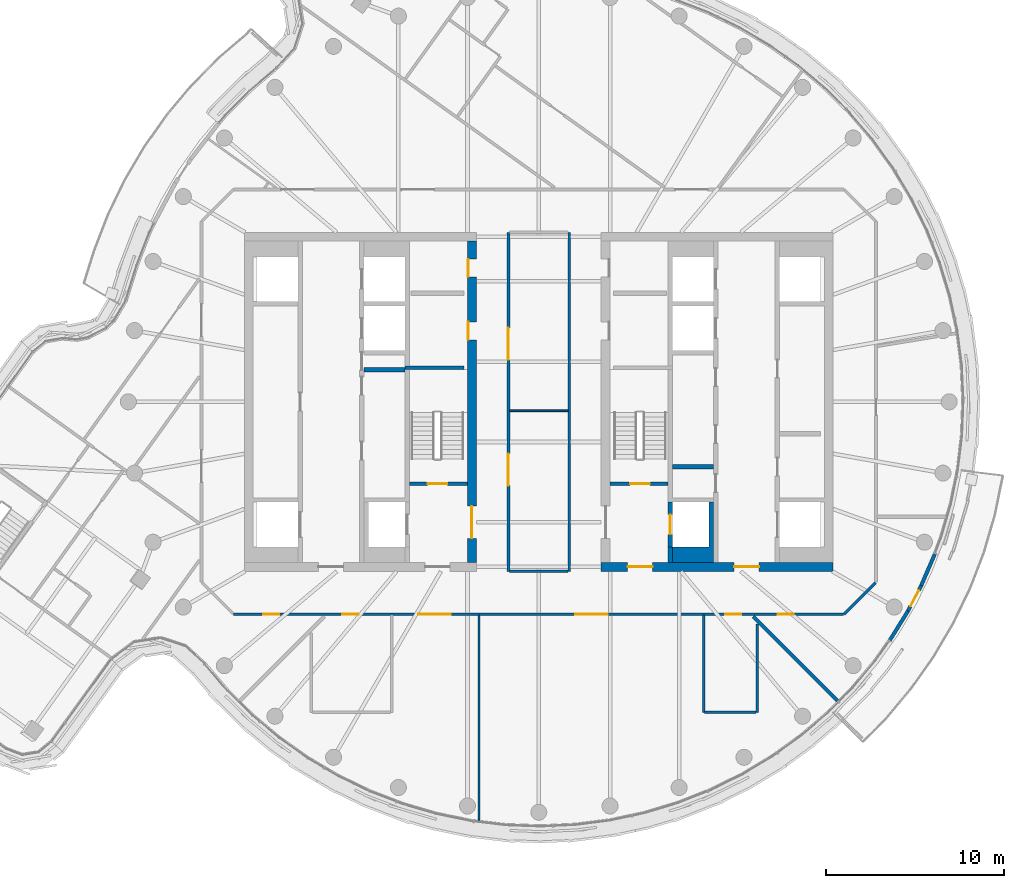
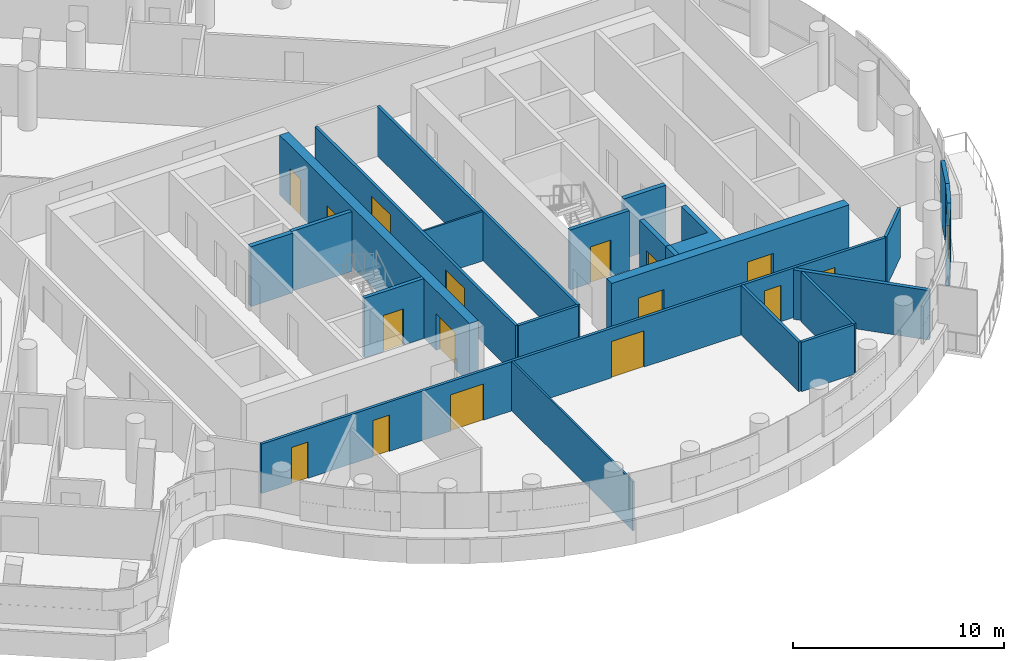
# One storey, part 18 of 27: 24 walls, 17 doors, 17 openings.
"""IFC4 building model written with IfcOpenShell, lengths in metres."""

import ifcopenshell
import ifcopenshell.guid

model = None  # the IFC model being written
_history = None  # IfcOwnerHistory: only IFC2X3 demands one
_inside = {}  # id of a spatial element -> (the spatial element, [elements in it])
_under = {}  # id of a project, library or spatial element -> (it, [spatial elements below it])
_declared = {}  # id of a project -> (the project, [libraries it declares])
_typed = {}  # id of a type object -> (the type object, [elements of that type])
_made_of = {}  # id of a material, layer set ... -> (it, [elements and type objects made of it])


def new_model(schema):
    """Start an empty IFC model of exactly this schema.

    Asked for "IFC4X3", IfcOpenShell would pick the latest addendum, in which some entities
    have other attributes; the version numbers below select the first issue.
    IFC2X3 requires an IfcOwnerHistory on every rooted entity: one is made here for all.
    """
    global model, _history
    if schema == "IFC4X3":
        model = ifcopenshell.file(schema_version=(4, 3, 0, 0))
    else:
        model = ifcopenshell.file(schema=schema)
    _inside.clear()
    _under.clear()
    _declared.clear()
    _typed.clear()
    _made_of.clear()
    _history = None
    if model.schema == "IFC2X3":
        org = make("IfcOrganization", Name="unknown")
        user = make(
            "IfcPersonAndOrganization",
            ThePerson=make("IfcPerson", FamilyName="unknown"),
            TheOrganization=org,
        )
        app = make(
            "IfcApplication",
            ApplicationDeveloper=org,
            Version="unknown",
            ApplicationFullName="unknown",
            ApplicationIdentifier="unknown",
        )
        _history = make(
            "IfcOwnerHistory",
            OwningUser=user,
            OwningApplication=app,
            ChangeAction="ADDED",
            CreationDate=0,
        )
    return model


def make(cls, **values):
    """One entity of the class cls with the attributes given. An attribute that is None is left unset."""
    return model.create_entity(
        cls, **{name: value for name, value in values.items() if value is not None}
    )


def rooted(cls, **values):
    """An entity with a GlobalId (a new one), such as an element, a storey or a relation."""
    return make(cls, GlobalId=ifcopenshell.guid.new(), OwnerHistory=_history, **values)


def si_unit(unit_type, name, prefix=None):
    """IfcSIUnit, for example si_unit("LENGTHUNIT", "METRE", prefix="MILLI")."""
    return make("IfcSIUnit", UnitType=unit_type, Prefix=prefix, Name=name)


def assignment(units):
    """IfcUnitAssignment: the units of a project."""
    return None if units is None else make("IfcUnitAssignment", Units=units)


def point(xyz):
    """IfcCartesianPoint."""
    return None if xyz is None else make("IfcCartesianPoint", Coordinates=xyz)


def direction(xyz):
    """IfcDirection."""
    return None if xyz is None else make("IfcDirection", DirectionRatios=xyz)


def frame(location, z_axis=None, x_axis=None):
    """IfcAxis2Placement3D, a coordinate frame: its origin and axes. An axis left out is left unset."""
    return make(
        "IfcAxis2Placement3D",
        Location=point(location),
        Axis=direction(z_axis),
        RefDirection=direction(x_axis),
    )


def frame_2d(location, x_axis=None):
    """IfcAxis2Placement2D, a coordinate frame in the plane: its origin and x axis."""
    return make(
        "IfcAxis2Placement2D", Location=point(location), RefDirection=direction(x_axis)
    )


def origin():
    """The frame at (0, 0, 0) with its axes left unset."""
    return frame((0.0, 0.0, 0.0))


def place(relative_to, where):
    """IfcLocalPlacement: puts the frame where relative to a parent placement (None: the world)."""
    return make(
        "IfcLocalPlacement", PlacementRelTo=relative_to, RelativePlacement=where
    )


def context(
    kind, dimensions, precision=None, world=None, true_north=None, identifier=None
):
    """IfcGeometricRepresentationContext, for example the 3D "Model" context."""
    return make(
        "IfcGeometricRepresentationContext",
        ContextIdentifier=identifier,
        ContextType=kind,
        CoordinateSpaceDimension=dimensions,
        Precision=precision,
        WorldCoordinateSystem=world,
        TrueNorth=true_north,
    )


def subcontext(parent, identifier, kind, view, scale=None):
    """IfcGeometricRepresentationSubContext, for example "Body" below "Model"."""
    return make(
        "IfcGeometricRepresentationSubContext",
        ContextIdentifier=identifier,
        ContextType=kind,
        ParentContext=parent,
        TargetScale=scale,
        TargetView=view,
    )


def project(units=None, contexts=None):
    """IfcProject with its units and contexts."""
    return rooted(
        "IfcProject",
        Name="project",
        RepresentationContexts=contexts,
        UnitsInContext=assignment(units),
    )


def spatial(cls, under=None, at=None, **own):
    """A site, building, storey or space (cls), placed at a placement, below another one or the project."""
    s = rooted(cls, ObjectPlacement=at, **own)
    if under is not None:
        _under.setdefault(under.id(), (under, []))[1].append(s)
    return s


def polyline(points):
    """IfcPolyline through the points."""
    return make("IfcPolyline", Points=[point(p) for p in points])


def profile(cls, at=None, kind="AREA", **sizes):
    """A parametric profile (cls). Its sizes go by their IFC names, for example OverallWidth=200.0."""
    return make(cls, ProfileType=kind, Position=at, **sizes)


def rectangle(**sizes):
    """IfcRectangleProfileDef."""
    return profile("IfcRectangleProfileDef", **sizes)


def outline(outer, holes=None, kind="AREA"):
    """IfcArbitraryClosedProfileDef: a profile drawn as a closed curve; with holes, ...WithVoids."""
    if holes is None:
        return make("IfcArbitraryClosedProfileDef", ProfileType=kind, OuterCurve=outer)
    return make(
        "IfcArbitraryProfileDefWithVoids",
        ProfileType=kind,
        OuterCurve=outer,
        InnerCurves=holes,
    )


def extrude(swept, where, along, depth):
    """IfcExtrudedAreaSolid: the profile swept, set in the frame where, extruded along a direction by depth."""
    return make(
        "IfcExtrudedAreaSolid",
        SweptArea=swept,
        Position=where,
        ExtrudedDirection=direction(along),
        Depth=depth,
    )


def shape(context_of_items, identifier, shape_type, items):
    """IfcShapeRepresentation: the items that make up one representation, for example the "Body"."""
    return make(
        "IfcShapeRepresentation",
        ContextOfItems=context_of_items,
        RepresentationIdentifier=identifier,
        RepresentationType=shape_type,
        Items=items,
    )


def material(Name=None, Category=None):
    """IfcMaterial."""
    return make("IfcMaterial", Name=Name, Category=Category)


def layer(
    of_material, thickness, ventilated=None, Name=None, Category=None, Priority=None
):
    """IfcMaterialLayer: one layer of a wall or slab, of a material (None: an air gap)."""
    return make(
        "IfcMaterialLayer",
        Material=of_material,
        LayerThickness=thickness,
        IsVentilated=ventilated,
        Name=Name,
        Category=Category,
        Priority=Priority,
    )


def layer_set(layers, Name=None):
    """IfcMaterialLayerSet."""
    return make("IfcMaterialLayerSet", MaterialLayers=layers, LayerSetName=Name)


def made_of(thing, what):
    """Note that an element or type object is made of a material, layer set ...; save() writes the relation."""
    if what is not None:
        _made_of.setdefault(what.id(), (what, []))[1].append(thing)
    return thing


def type_object(cls, material=None, **own):
    """A type object (cls), such as IfcWallType, which elements share."""
    return made_of(rooted(cls, **own), material)


def element(
    cls,
    number,
    at=None,
    inside=None,
    cuts=None,
    type_object=None,
    material=None,
    context=None,
    identifier="Body",
    shape_type=None,
    held_by="IfcProductDefinitionShape",
    body=None,
    shapes=None,
    **own,
):
    """One element of the class cls, such as IfcWall. Its Tag is "e" and its number.

    at: its placement. inside: the storey or other place that contains it. cuts: it is an
    opening in that element (IfcRelVoidsElement). A single representation is given by context,
    identifier, shape_type and body (its items); several are given by shapes. held_by: the class
    of the entity that holds the representations. save() writes the other relations.
    """
    e = rooted(cls, Tag="e%d" % number, ObjectPlacement=at, **own)
    if body is not None:
        shapes = [shape(context, identifier, shape_type, body)]
    if shapes is not None:
        e.Representation = make(held_by, Representations=shapes)
    if inside is not None:
        _inside.setdefault(inside.id(), (inside, []))[1].append(e)
    if cuts is not None:
        rooted(
            "IfcRelVoidsElement", RelatingBuildingElement=cuts, RelatedOpeningElement=e
        )
    if type_object is not None:
        _typed.setdefault(type_object.id(), (type_object, []))[1].append(e)
    return made_of(e, material)


def fill(opening, filler):
    """IfcRelFillsElement: the door or window that sits in an opening."""
    return rooted(
        "IfcRelFillsElement",
        RelatingOpeningElement=opening,
        RelatedBuildingElement=filler,
    )


def aggregate(whole, parts):
    """IfcRelAggregates: a whole, such as a stair, and the parts it consists of."""
    return rooted("IfcRelAggregates", RelatingObject=whole, RelatedObjects=parts)


def save(model, path):
    """Write the relations noted so far, then the file.

    IfcRelAggregates (storeys below a building ...), IfcRelContainedInSpatialStructure (elements
    in a storey), IfcRelDefinesByType, IfcRelAssociatesMaterial and IfcRelDeclares: one each for
    every whole, place, type object, material and project.
    """
    for whole, parts in _under.values():
        aggregate(whole, parts)
    for where, things in _inside.values():
        rooted(
            "IfcRelContainedInSpatialStructure",
            RelatedElements=things,
            RelatingStructure=where,
        )
    for kind, things in _typed.values():
        rooted("IfcRelDefinesByType", RelatedObjects=things, RelatingType=kind)
    for what, things in _made_of.values():
        rooted("IfcRelAssociatesMaterial", RelatedObjects=things, RelatingMaterial=what)
    for by, libraries in _declared.values():
        rooted("IfcRelDeclares", RelatingContext=by, RelatedDefinitions=libraries)
    model.write(path)


model = new_model("IFC4")

# Units and contexts
model_context = context("Model", 3, precision=1e-05, world=origin(), true_north=direction((0.0, 1.0)))
body_context = subcontext(model_context, "Body", "Model", "MODEL_VIEW")
ifc_project = project(units=[si_unit("LENGTHUNIT", "METRE"), si_unit("AREAUNIT", "SQUARE_METRE"), si_unit("VOLUMEUNIT", "CUBIC_METRE"), si_unit("PLANEANGLEUNIT", "RADIAN"), si_unit("MASSUNIT", "GRAM", prefix="KILO")], contexts=[model_context])

# Site, building, storey
site_placement = place(None, origin())
site = spatial("IfcSite", under=ifc_project, at=site_placement, CompositionType="ELEMENT")
building_placement = place(site_placement, origin())
building = spatial("IfcBuilding", under=site, at=building_placement, Name="Tamarind Cross Interchange Tower", CompositionType="ELEMENT")
storey_placement = place(building_placement, frame((0.0, 0.0, 230.699951171875)))
storey = spatial("IfcBuildingStorey", under=building, at=storey_placement, Name="L58", CompositionType="ELEMENT", Elevation=230.699951171875)

# Walls
ifc_material_1 = material(Name="Concrete C40", Category="concrete")
ifc_layer_1 = layer(ifc_material_1, 0.199951171875)
ifc_layer_set_1 = layer_set([ifc_layer_1], Name="Concrete C40")
wall_type_1 = type_object("IfcWallType", Name="Balcony and garden door wall", PredefinedType="SOLIDWALL", material=ifc_layer_set_1)
wall_1_placement = place(storey_placement, frame((19.67041015625, -13.3623046875, 0.0), z_axis=(0.0, 0.0, 1.0), x_axis=(0.527567207866, 0.84951329665, 0.0)))
element("IfcWall", 1, at=wall_1_placement, inside=storey, type_object=wall_type_1, Name="EXW-L58-02-D11L", PredefinedType="SOLIDWALL", context=body_context, shape_type="SweptSolid", body=[
    extrude(rectangle(XDim=1.932861328125, YDim=0.199951171875, at=frame_2d((0.96630859375, 0.0))), origin(), (0.0, 0.0, 1.0), 3.4599609375),
])
wall_2_placement = place(storey_placement, frame((21.427734375, -10.3017578125, 0.0), z_axis=(0.0, 0.0, 1.0), x_axis=(0.396281143068, 0.918129215116, 0.0)))
element("IfcWall", 2, at=wall_2_placement, inside=storey, type_object=wall_type_1, Name="EXW-L58-02-D11R", PredefinedType="SOLIDWALL", context=body_context, shape_type="SweptSolid", body=[
    extrude(rectangle(XDim=1.9326171875, YDim=0.199951171875, at=frame_2d((0.96630859375, 0.0))), origin(), (0.0, 0.0, 1.0), 3.4599609375),
])

# Wall, opening, door
wall_3_placement = place(storey_placement, frame((20.690185546875, -11.72021484375, 0.0), z_axis=(0.0, 0.0, 1.0), x_axis=(0.461328695654, 0.887229302135, 0.0)))
wall_3 = element("IfcWall", 3, at=wall_3_placement, inside=storey, type_object=wall_type_1, Name="EXW-L58-02-D11", PredefinedType="SOLIDWALL", context=body_context, shape_type="SweptSolid", body=[
    extrude(rectangle(XDim=1.5986328125, YDim=0.199951171875, at=frame_2d((0.79931640625, 0.0))), origin(), (0.0, 0.0, 1.0), 3.4599609375),
])
opening_1_placement = place(wall_3_placement, frame((0.29931640625, 0.0, 0.0)))
opening_1 = element("IfcOpeningElement", 4, at=opening_1_placement, cuts=wall_3, Name="Opening D2", PredefinedType="OPENING", context=body_context, shape_type="SweptSolid", body=[
    extrude(rectangle(XDim=1.0, YDim=2.39990234375, at=frame_2d((0.5, 1.199951171875))), frame((0.0, 0.10986328125, 0.0), z_axis=(0.0, -1.0, 0.0), x_axis=(1.0, 0.0, 0.0)), (0.0, 0.0, 1.0), 0.219970703125),
])
ifc_material_2 = material(Name="Aluminium and toughened glass", Category="aluminium")
door_type_1 = type_object("IfcDoorType", Name="Balcony and garden door", OperationType="SINGLE_SWING_LEFT", PredefinedType="DOOR", material=ifc_material_2)
door_1_placement = place(opening_1_placement, origin())
door_1 = element("IfcDoor", 5, at=door_1_placement, inside=storey, type_object=door_type_1, Name="DOR-L58-02-11", OperationType="SINGLE_SWING_LEFT", OverallHeight=2.39990234375, OverallWidth=1.0, PredefinedType="DOOR", context=body_context, shape_type="SweptSolid", body=[
    extrude(rectangle(XDim=1.0, YDim=2.39990234375, at=frame_2d((0.5, 1.199951171875))), frame((0.0, 0.02490234375, 0.0), z_axis=(0.0, -1.0, 0.0), x_axis=(1.0, 0.0, 0.0)), (0.0, 0.0, 1.0), 0.050048828125),
])
fill(opening_1, door_1)

# Wall, openings, doors
ifc_material_3 = material(Name="Concrete C50", Category="concrete")
ifc_layer_2 = layer(ifc_material_3, 0.5)
ifc_layer_set_2 = layer_set([ifc_layer_2], Name="Concrete C50")
wall_type_2 = type_object("IfcWallType", Name="Core wall 500 mm Concrete C50", PredefinedType="SHEAR", material=ifc_layer_set_2)
wall_4_placement = place(storey_placement, frame((-3.75, -9.0, 0.0), z_axis=(0.0, 0.0, 1.0), x_axis=(0.0, 1.0, 0.0)))
wall_4 = element("IfcWall", 6, at=wall_4_placement, inside=storey, type_object=wall_type_2, Name="Core wall CWL-L58-W-IN", PredefinedType="SHEAR", context=body_context, shape_type="SweptSolid", body=[
    extrude(rectangle(XDim=18.0, YDim=0.5, at=frame_2d((9.0, 0.0))), origin(), (0.0, 0.0, 1.0), 3.4599609375),
])
opening_2_placement = place(wall_4_placement, frame((1.35009765625, 0.0, 0.0)))
opening_2 = element("IfcOpeningElement", 7, at=opening_2_placement, cuts=wall_4, Name="Opening DCW4", PredefinedType="OPENING", context=body_context, shape_type="SweptSolid", body=[
    extrude(rectangle(XDim=1.800048828125, YDim=2.10009765625, at=frame_2d((0.89990234375, 1.050048828125))), frame((0.0, 0.260009765625, 0.0), z_axis=(0.0, -1.0, 0.0), x_axis=(1.0, 0.0, 0.0)), (0.0, 0.0, 1.0), 0.52001953125),
])
opening_3_placement = place(wall_4_placement, frame((12.4775390625, 0.0, 0.0)))
opening_3 = element("IfcOpeningElement", 8, at=opening_3_placement, cuts=wall_4, Name="Opening DCW5", PredefinedType="OPENING", context=body_context, shape_type="SweptSolid", body=[
    extrude(rectangle(XDim=1.0, YDim=2.10009765625, at=frame_2d((0.5, 1.050048828125))), frame((0.0, 0.260009765625, 0.0), z_axis=(0.0, -1.0, 0.0), x_axis=(1.0, 0.0, 0.0)), (0.0, 0.0, 1.0), 0.52001953125),
])
opening_4_placement = place(wall_4_placement, frame((16.00244140625, 0.0, 0.0)))
opening_4 = element("IfcOpeningElement", 9, at=opening_4_placement, cuts=wall_4, Name="Opening DCW5", PredefinedType="OPENING", context=body_context, shape_type="SweptSolid", body=[
    extrude(rectangle(XDim=1.0, YDim=2.10009765625, at=frame_2d((0.5, 1.050048828125))), frame((0.0, 0.260009765625, 0.0), z_axis=(0.0, -1.0, 0.0), x_axis=(1.0, 0.0, 0.0)), (0.0, 0.0, 1.0), 0.52001953125),
])
ifc_material_4 = material(Name="Steel, fire-resisting", Category="steel")
door_type_2 = type_object("IfcDoorType", Name="Core fire door 1000 x 2100 FD90", OperationType="SINGLE_SWING_LEFT", PredefinedType="DOOR", material=ifc_material_4)
door_2_placement = place(opening_3_placement, origin())
door_2 = element("IfcDoor", 10, at=door_2_placement, inside=storey, type_object=door_type_2, Name="L58 housekeeping pantry door", OperationType="SINGLE_SWING_LEFT", OverallHeight=2.10009765625, OverallWidth=1.0, PredefinedType="DOOR", context=body_context, shape_type="SweptSolid", body=[
    extrude(rectangle(XDim=1.0, YDim=2.10009765625, at=frame_2d((0.5, 1.050048828125))), frame((0.0, 0.22509765625, 0.0), z_axis=(0.0, -1.0, 0.0), x_axis=(1.0, 0.0, 0.0)), (0.0, 0.0, 1.0), 0.050048828125),
])
fill(opening_3, door_2)
door_3_placement = place(opening_4_placement, origin())
door_3 = element("IfcDoor", 11, at=door_3_placement, inside=storey, type_object=door_type_2, Name="L58 linen press door", OperationType="SINGLE_SWING_LEFT", OverallHeight=2.10009765625, OverallWidth=1.0, PredefinedType="DOOR", context=body_context, shape_type="SweptSolid", body=[
    extrude(rectangle(XDim=1.0, YDim=2.10009765625, at=frame_2d((0.5, 1.050048828125))), frame((0.0, 0.22509765625, 0.0), z_axis=(0.0, -1.0, 0.0), x_axis=(1.0, 0.0, 0.0)), (0.0, 0.0, 1.0), 0.050048828125),
])
fill(opening_4, door_3)
door_type_3 = type_object("IfcDoorType", Name="Core fire door 1800 x 2100 FD90", OperationType="SINGLE_SWING_LEFT", PredefinedType="DOOR", material=ifc_material_4)
door_4_placement = place(opening_2_placement, origin())
door_4 = element("IfcDoor", 12, at=door_4_placement, inside=storey, type_object=door_type_3, Name="L58 firefighting lobby door", OperationType="SINGLE_SWING_LEFT", OverallHeight=2.10009765625, OverallWidth=1.800048828125, PredefinedType="DOOR", context=body_context, shape_type="SweptSolid", body=[
    extrude(rectangle(XDim=1.800048828125, YDim=2.10009765625, at=frame_2d((0.89990234375, 1.050048828125))), frame((0.0, 0.02490234375, 0.0), z_axis=(0.0, -1.0, 0.0), x_axis=(1.0, 0.0, 0.0)), (0.0, 0.0, 1.0), 0.050048828125),
])
fill(opening_2, door_4)

wall_5_placement = place(storey_placement, frame((16.5, -9.25, 0.0), z_axis=(0.0, 0.0, 1.0), x_axis=(-1.0, 0.0, 0.0)))
wall_5 = element("IfcWall", 13, at=wall_5_placement, inside=storey, type_object=wall_type_2, Name="Core wall CWL-L58-E-S", PredefinedType="SHEAR", context=body_context, shape_type="SweptSolid", body=[
    extrude(rectangle(XDim=13.0, YDim=0.5, at=frame_2d((6.5, 0.0))), origin(), (0.0, 0.0, 1.0), 3.4599609375),
])
opening_5_placement = place(wall_5_placement, frame((4.14990234375, 0.0, 0.0)))
opening_5 = element("IfcOpeningElement", 14, at=opening_5_placement, cuts=wall_5, Name="Opening DCE1", PredefinedType="OPENING", context=body_context, shape_type="SweptSolid", body=[
    extrude(rectangle(XDim=1.39990234375, YDim=2.10009765625, at=frame_2d((0.699951171875, 1.050048828125))), frame((0.0, 0.260009765625, 0.0), z_axis=(0.0, -1.0, 0.0), x_axis=(1.0, 0.0, 0.0)), (0.0, 0.0, 1.0), 0.52001953125),
])
opening_6_placement = place(wall_5_placement, frame((10.125, 0.0, 0.0)))
opening_6 = element("IfcOpeningElement", 15, at=opening_6_placement, cuts=wall_5, Name="Opening DCEF", PredefinedType="OPENING", context=body_context, shape_type="SweptSolid", body=[
    extrude(rectangle(XDim=1.39990234375, YDim=2.10009765625, at=frame_2d((0.699951171875, 1.050048828125))), frame((0.0, 0.260009765625, 0.0), z_axis=(0.0, -1.0, 0.0), x_axis=(1.0, 0.0, 0.0)), (0.0, 0.0, 1.0), 0.52001953125),
])
door_type_4 = type_object("IfcDoorType", Name="Core fire door 1400 x 2100 FD90", OperationType="SINGLE_SWING_LEFT", PredefinedType="DOOR", material=ifc_material_4)
door_5_placement = place(opening_5_placement, origin())
door_5 = element("IfcDoor", 16, at=door_5_placement, inside=storey, type_object=door_type_4, Name="L58 lift lobby door", OperationType="SINGLE_SWING_LEFT", OverallHeight=2.10009765625, OverallWidth=1.39990234375, PredefinedType="DOOR", context=body_context, shape_type="SweptSolid", body=[
    extrude(rectangle(XDim=1.39990234375, YDim=2.10009765625, at=frame_2d((0.699951171875, 1.050048828125))), frame((0.0, 0.02490234375, 0.0), z_axis=(0.0, -1.0, 0.0), x_axis=(1.0, 0.0, 0.0)), (0.0, 0.0, 1.0), 0.050048828125),
])
fill(opening_5, door_5)
door_6_placement = place(opening_6_placement, origin())
door_6 = element("IfcDoor", 17, at=door_6_placement, inside=storey, type_object=door_type_4, Name="L58 firefighting lobby end door", OperationType="SINGLE_SWING_LEFT", OverallHeight=2.10009765625, OverallWidth=1.39990234375, PredefinedType="DOOR", context=body_context, shape_type="SweptSolid", body=[
    extrude(rectangle(XDim=1.39990234375, YDim=2.10009765625, at=frame_2d((0.699951171875, 1.050048828125))), frame((0.0, 0.02490234375, 0.0), z_axis=(0.0, -1.0, 0.0), x_axis=(1.0, 0.0, 0.0)), (0.0, 0.0, 1.0), 0.050048828125),
])
fill(opening_6, door_6)

# Walls
ifc_layer_3 = layer(ifc_material_3, 0.199951171875)
ifc_layer_set_3 = layer_set([ifc_layer_3], Name="Concrete C50")
wall_type_3 = type_object("IfcWallType", Name="Core web wall 200 mm Concrete C50", PredefinedType="SHEAR", material=ifc_layer_set_3)
wall_6_placement = place(storey_placement, frame((-7.5, 1.89990234375, 0.0), z_axis=(0.0, 0.0, 1.0), x_axis=(1.0, 0.0, 0.0)))
element("IfcWall", 18, at=wall_6_placement, inside=storey, type_object=wall_type_3, Name="Core wall CWL-L58-W-BD", PredefinedType="SHEAR", context=body_context, shape_type="SweptSolid", body=[
    extrude(rectangle(XDim=3.300048828125, YDim=0.199951171875, at=frame_2d((1.64990234375, 0.0))), origin(), (0.0, 0.0, 1.0), 3.4599609375),
])
ifc_layer_4 = layer(ifc_material_3, 0.25)
ifc_layer_set_4 = layer_set([ifc_layer_4], Name="Concrete C50")
wall_type_4 = type_object("IfcWallType", Name="Core web wall 250 mm Concrete C50", PredefinedType="SHEAR", material=ifc_layer_set_4)
wall_7_placement = place(storey_placement, origin())
element("IfcWall", 19, at=wall_7_placement, inside=storey, type_object=wall_type_4, Name="Core wall CWL-L58-E-BS", PredefinedType="SHEAR", context=body_context, shape_type="SweptSolid", body=[
    extrude(outline(polyline([(7.5, -8.125), (7.5, -9.0), (9.800048828125, -9.0), (9.800048828125, -8.125), (9.800048828125, -5.625), (9.550048828125, -5.625), (9.550048828125, -8.125), (7.5, -8.125)])), origin(), (0.0, 0.0, 1.0), 3.4599609375),
])
wall_8_placement = place(storey_placement, frame((7.375, -9.0, 0.0), z_axis=(0.0, 0.0, 1.0), x_axis=(0.0, 1.0, 0.0)))
element("IfcWall", 20, at=wall_8_placement, inside=storey, type_object=wall_type_4, Name="Core wall CWL-L58-E-BW", PredefinedType="SHEAR", context=body_context, shape_type="SweptSolid", body=[
    extrude(rectangle(XDim=0.875, YDim=0.25, at=frame_2d((0.4375, 0.0))), origin(), (0.0, 0.0, 1.0), 3.4599609375),
])

# Wall, opening, door
wall_9_placement = place(storey_placement, frame((7.375, -8.125, 0.0), z_axis=(0.0, 0.0, 1.0), x_axis=(0.0, 1.0, 0.0)))
wall_9 = element("IfcWall", 21, at=wall_9_placement, inside=storey, type_object=wall_type_4, Name="Core wall CWL-L58-E-FF", PredefinedType="SHEAR", context=body_context, shape_type="SweptSolid", body=[
    extrude(rectangle(XDim=2.5, YDim=0.25, at=frame_2d((1.25, 0.0))), origin(), (0.0, 0.0, 1.0), 3.4599609375),
])
opening_7_placement = place(wall_9_placement, frame((0.699951171875, 0.0, 0.0)))
opening_7 = element("IfcOpeningElement", 22, at=opening_7_placement, cuts=wall_9, Name="Opening LD19L58", PredefinedType="OPENING", context=body_context, shape_type="SweptSolid", body=[
    extrude(rectangle(XDim=1.10009765625, YDim=2.10009765625, at=frame_2d((0.550048828125, 1.050048828125))), frame((0.0, 0.135009765625, 0.0), z_axis=(0.0, -1.0, 0.0), x_axis=(1.0, 0.0, 0.0)), (0.0, 0.0, 1.0), 0.27001953125),
])
ifc_material_5 = material(Name="Stainless steel panel", Category="steel")
door_type_5 = type_object("IfcDoorType", Name="Lift landing door 1100 x 2100 E 120", OperationType="SLIDING_TO_LEFT", PredefinedType="DOOR", material=ifc_material_5)
door_7_placement = place(opening_7_placement, origin())
door_7 = element("IfcDoor", 23, at=door_7_placement, inside=storey, type_object=door_type_5, Name="L58 landing door LF19", OperationType="SLIDING_TO_LEFT", OverallHeight=2.10009765625, OverallWidth=1.10009765625, PredefinedType="DOOR", context=body_context, shape_type="SweptSolid", body=[
    extrude(rectangle(XDim=1.10009765625, YDim=2.10009765625, at=frame_2d((0.550048828125, 1.050048828125))), frame((0.0, 0.02490234375, 0.0), z_axis=(0.0, -1.0, 0.0), x_axis=(1.0, 0.0, 0.0)), (0.0, 0.0, 1.0), 0.050048828125),
])
fill(opening_7, door_7)

# Walls
ifc_material_6 = material(Name="Gypsum board partition on steel studs", Category="steel")
ifc_layer_5 = layer(ifc_material_6, 0.10009765625)
ifc_layer_set_5 = layer_set([ifc_layer_5], Name="Gypsum board partition on steel studs")
wall_type_5 = type_object("IfcWallType", Name="Partition 100 mm EI 120", PredefinedType="PARTITIONING", material=ifc_layer_set_5)
wall_10_placement = place(storey_placement, frame((-1.639892578125, -0.5, 0.0), z_axis=(0.0, 0.0, 1.0), x_axis=(1.0, 0.0, 0.0)))
element("IfcWall", 24, at=wall_10_placement, inside=storey, type_object=wall_type_5, Name="Partition L58-028", PredefinedType="PARTITIONING", context=body_context, shape_type="SweptSolid", body=[
    extrude(rectangle(XDim=3.27978515625, YDim=0.10009765625, at=frame_2d((1.639892578125, 0.0))), origin(), (0.0, 0.0, 1.0), 2.864013671875),
])
ifc_layer_6 = layer(ifc_material_6, 0.10009765625)
ifc_layer_set_6 = layer_set([ifc_layer_6], Name="Gypsum board partition on steel studs")
wall_type_6 = type_object("IfcWallType", Name="Partition 100 mm EI 90", PredefinedType="PARTITIONING", material=ifc_layer_set_6)
wall_11_placement = place(storey_placement, frame((-3.347900390625, -23.4423828125, 0.0), z_axis=(0.0, 0.0, 1.0), x_axis=(0.0, 1.0, 0.0)))
element("IfcWall", 25, at=wall_11_placement, inside=storey, type_object=wall_type_6, Name="Partition L58-055", PredefinedType="PARTITIONING", context=body_context, shape_type="SweptSolid", body=[
    extrude(rectangle(XDim=11.4873046875, YDim=0.10009765625, at=frame_2d((5.74365234375, 0.0))), origin(), (0.0, 0.0, 1.0), 2.864013671875),
])

# Wall, openings, doors
ifc_layer_7 = layer(ifc_material_6, 0.14990234375)
ifc_layer_set_7 = layer_set([ifc_layer_7], Name="Gypsum board partition on steel studs")
wall_type_7 = type_object("IfcWallType", Name="Partition 150 mm EI 120", PredefinedType="PARTITIONING", material=ifc_layer_set_7)
wall_12_placement = place(storey_placement, frame((-17.10009765625, -11.89990234375, 0.0), z_axis=(0.0, 0.0, 1.0), x_axis=(1.0, 0.0, 0.0)))
wall_12 = element("IfcWall", 26, at=wall_12_placement, inside=storey, type_object=wall_type_7, Name="Partition L58-023", PredefinedType="PARTITIONING", context=body_context, shape_type="SweptSolid", body=[
    extrude(rectangle(XDim=34.1650390625, YDim=0.14990234375, at=frame_2d((17.08251953125, 0.0))), origin(), (0.0, 0.0, 1.0), 2.864013671875),
])
opening_8_placement = place(wall_12_placement, frame((6.10009765625, 0.0, 0.0)))
opening_8 = element("IfcOpeningElement", 27, at=opening_8_placement, cuts=wall_12, Name="Opening D12", PredefinedType="OPENING", context=body_context, shape_type="SweptSolid", body=[
    extrude(rectangle(XDim=0.89990234375, YDim=2.10009765625, at=frame_2d((0.449951171875, 1.050048828125))), frame((0.0, 0.0849609375, 0.0), z_axis=(0.0, -1.0, 0.0), x_axis=(1.0, 0.0, 0.0)), (0.0, 0.0, 1.0), 0.169921875),
])
opening_9_placement = place(wall_12_placement, frame((27.541015625, 0.0, 0.0)))
opening_9 = element("IfcOpeningElement", 28, at=opening_9_placement, cuts=wall_12, Name="Opening D13", PredefinedType="OPENING", context=body_context, shape_type="SweptSolid", body=[
    extrude(rectangle(XDim=0.89990234375, YDim=2.10009765625, at=frame_2d((0.449951171875, 1.050048828125))), frame((0.0, 0.0849609375, 0.0), z_axis=(0.0, -1.0, 0.0), x_axis=(1.0, 0.0, 0.0)), (0.0, 0.0, 1.0), 0.169921875),
])
opening_10_placement = place(wall_12_placement, frame((19.152099609375, 0.0, 0.0)))
opening_10 = element("IfcOpeningElement", 29, at=opening_10_placement, cuts=wall_12, Name="Opening D14", PredefinedType="OPENING", context=body_context, shape_type="SweptSolid", body=[
    extrude(rectangle(XDim=1.800048828125, YDim=2.10009765625, at=frame_2d((0.89990234375, 1.050048828125))), frame((0.0, 0.0849609375, 0.0), z_axis=(0.0, -1.0, 0.0), x_axis=(1.0, 0.0, 0.0)), (0.0, 0.0, 1.0), 0.169921875),
])
opening_11_placement = place(wall_12_placement, frame((10.35888671875, 0.0, 0.0)))
opening_11 = element("IfcOpeningElement", 30, at=opening_11_placement, cuts=wall_12, Name="Opening D15", PredefinedType="OPENING", context=body_context, shape_type="SweptSolid", body=[
    extrude(rectangle(XDim=1.800048828125, YDim=2.10009765625, at=frame_2d((0.89990234375, 1.050048828125))), frame((0.0, 0.0849609375, 0.0), z_axis=(0.0, -1.0, 0.0), x_axis=(1.0, 0.0, 0.0)), (0.0, 0.0, 1.0), 0.169921875),
])
opening_12_placement = place(wall_12_placement, frame((30.5, 0.0, 0.0)))
opening_12 = element("IfcOpeningElement", 31, at=opening_12_placement, cuts=wall_12, Name="Opening D16", PredefinedType="OPENING", context=body_context, shape_type="SweptSolid", body=[
    extrude(rectangle(XDim=0.89990234375, YDim=2.10009765625, at=frame_2d((0.449951171875, 1.050048828125))), frame((0.0, 0.0849609375, 0.0), z_axis=(0.0, -1.0, 0.0), x_axis=(1.0, 0.0, 0.0)), (0.0, 0.0, 1.0), 0.169921875),
])
opening_13_placement = place(wall_12_placement, frame((1.64990234375, 0.0, 0.0)))
opening_13 = element("IfcOpeningElement", 32, at=opening_13_placement, cuts=wall_12, Name="Opening D17", PredefinedType="OPENING", context=body_context, shape_type="SweptSolid", body=[
    extrude(rectangle(XDim=0.89990234375, YDim=2.10009765625, at=frame_2d((0.449951171875, 1.050048828125))), frame((0.0, 0.0849609375, 0.0), z_axis=(0.0, -1.0, 0.0), x_axis=(1.0, 0.0, 0.0)), (0.0, 0.0, 1.0), 0.169921875),
])
ifc_material_7 = material(Name="Fire-resisting door set")
door_type_6 = type_object("IfcDoorType", Name="Interior door 1800 x 2100 FD60S", OperationType="DOUBLE_DOOR_SINGLE_SWING", PredefinedType="DOOR", material=ifc_material_7)
door_8_placement = place(opening_10_placement, origin())
door_8 = element("IfcDoor", 33, at=door_8_placement, inside=storey, type_object=door_type_6, Name="Door D14", OperationType="DOUBLE_DOOR_SINGLE_SWING", OverallHeight=2.10009765625, OverallWidth=1.800048828125, PredefinedType="DOOR", context=body_context, shape_type="SweptSolid", body=[
    extrude(rectangle(XDim=1.800048828125, YDim=2.10009765625, at=frame_2d((0.89990234375, 1.050048828125))), frame((0.0, 0.02490234375, 0.0), z_axis=(0.0, -1.0, 0.0), x_axis=(1.0, 0.0, 0.0)), (0.0, 0.0, 1.0), 0.050048828125),
])
fill(opening_10, door_8)
door_9_placement = place(opening_11_placement, frame((1.800048828125, 0.0, 0.0), z_axis=(0.0, 0.0, 1.0), x_axis=(-1.0, 0.0, 0.0)))
door_9 = element("IfcDoor", 34, at=door_9_placement, inside=storey, type_object=door_type_6, Name="Door D15", OperationType="DOUBLE_DOOR_SINGLE_SWING", OverallHeight=2.10009765625, OverallWidth=1.800048828125, PredefinedType="DOOR", context=body_context, shape_type="SweptSolid", body=[
    extrude(rectangle(XDim=1.800048828125, YDim=2.10009765625, at=frame_2d((0.89990234375, 1.050048828125))), frame((0.0, 0.02490234375, 0.0), z_axis=(0.0, -1.0, 0.0), x_axis=(1.0, 0.0, 0.0)), (0.0, 0.0, 1.0), 0.050048828125),
])
fill(opening_11, door_9)
door_type_7 = type_object("IfcDoorType", Name="Interior door 900 x 2100 FD60S", OperationType="SINGLE_SWING_LEFT", PredefinedType="DOOR", material=ifc_material_7)
door_10_placement = place(opening_8_placement, frame((0.89990234375, 0.0, 0.0), z_axis=(0.0, 0.0, 1.0), x_axis=(-1.0, 0.0, 0.0)))
door_10 = element("IfcDoor", 35, at=door_10_placement, inside=storey, type_object=door_type_7, Name="Door D12", OperationType="SINGLE_SWING_LEFT", OverallHeight=2.10009765625, OverallWidth=0.89990234375, PredefinedType="DOOR", context=body_context, shape_type="SweptSolid", body=[
    extrude(rectangle(XDim=0.89990234375, YDim=2.10009765625, at=frame_2d((0.449951171875, 1.050048828125))), frame((0.0, 0.02490234375, 0.0), z_axis=(0.0, -1.0, 0.0), x_axis=(1.0, 0.0, 0.0)), (0.0, 0.0, 1.0), 0.050048828125),
])
fill(opening_8, door_10)
door_11_placement = place(opening_9_placement, frame((0.89990234375, 0.0, 0.0), z_axis=(0.0, 0.0, 1.0), x_axis=(-1.0, 0.0, 0.0)))
door_11 = element("IfcDoor", 36, at=door_11_placement, inside=storey, type_object=door_type_7, Name="Door D13", OperationType="SINGLE_SWING_RIGHT", OverallHeight=2.10009765625, OverallWidth=0.89990234375, PredefinedType="DOOR", context=body_context, shape_type="SweptSolid", body=[
    extrude(rectangle(XDim=0.89990234375, YDim=2.10009765625, at=frame_2d((0.449951171875, 1.050048828125))), frame((0.0, 0.02490234375, 0.0), z_axis=(0.0, -1.0, 0.0), x_axis=(1.0, 0.0, 0.0)), (0.0, 0.0, 1.0), 0.050048828125),
])
fill(opening_9, door_11)
door_12_placement = place(opening_12_placement, frame((0.89990234375, 0.0, 0.0), z_axis=(0.0, 0.0, 1.0), x_axis=(-1.0, 0.0, 0.0)))
door_12 = element("IfcDoor", 37, at=door_12_placement, inside=storey, type_object=door_type_7, Name="Door D16", OperationType="SINGLE_SWING_RIGHT", OverallHeight=2.10009765625, OverallWidth=0.89990234375, PredefinedType="DOOR", context=body_context, shape_type="SweptSolid", body=[
    extrude(rectangle(XDim=0.89990234375, YDim=2.10009765625, at=frame_2d((0.449951171875, 1.050048828125))), frame((0.0, 0.02490234375, 0.0), z_axis=(0.0, -1.0, 0.0), x_axis=(1.0, 0.0, 0.0)), (0.0, 0.0, 1.0), 0.050048828125),
])
fill(opening_12, door_12)
door_13_placement = place(opening_13_placement, frame((0.89990234375, 0.0, 0.0), z_axis=(0.0, 0.0, 1.0), x_axis=(-1.0, 0.0, 0.0)))
door_13 = element("IfcDoor", 38, at=door_13_placement, inside=storey, type_object=door_type_7, Name="Door D17", OperationType="SINGLE_SWING_LEFT", OverallHeight=2.10009765625, OverallWidth=0.89990234375, PredefinedType="DOOR", context=body_context, shape_type="SweptSolid", body=[
    extrude(rectangle(XDim=0.89990234375, YDim=2.10009765625, at=frame_2d((0.449951171875, 1.050048828125))), frame((0.0, 0.02490234375, 0.0), z_axis=(0.0, -1.0, 0.0), x_axis=(1.0, 0.0, 0.0)), (0.0, 0.0, 1.0), 0.050048828125),
])
fill(opening_13, door_13)

# Walls
wall_13_placement = place(storey_placement, frame((9.2958984375, -17.39990234375, 0.0), z_axis=(0.0, 0.0, 1.0), x_axis=(1.0, 0.0, 0.0)))
element("IfcWall", 39, at=wall_13_placement, inside=storey, type_object=wall_type_7, Name="Partition L58-026", PredefinedType="PARTITIONING", context=body_context, shape_type="SweptSolid", body=[
    extrude(rectangle(XDim=2.89013671875, YDim=0.14990234375, at=frame_2d((1.445068359375, 0.0))), origin(), (0.0, 0.0, 1.0), 2.864013671875),
])
wall_14_placement = place(storey_placement, frame((-1.639892578125, -9.5, 0.0), z_axis=(0.0, 0.0, 1.0), x_axis=(1.0, 0.0, 0.0)))
element("IfcWall", 40, at=wall_14_placement, inside=storey, type_object=wall_type_7, Name="Partition L58-027", PredefinedType="PARTITIONING", context=body_context, shape_type="SweptSolid", body=[
    extrude(rectangle(XDim=3.27978515625, YDim=0.14990234375, at=frame_2d((1.639892578125, 0.0))), origin(), (0.0, 0.0, 1.0), 2.864013671875),
])
wall_15_placement = place(storey_placement, frame((17.10009765625, -11.89990234375, 0.0), z_axis=(0.0, 0.0, 1.0), x_axis=(0.707106781187, 0.707106781187, 0.0)))
element("IfcWall", 41, at=wall_15_placement, inside=storey, type_object=wall_type_7, Name="Partition L58-035", PredefinedType="PARTITIONING", context=body_context, shape_type="SweptSolid", body=[
    extrude(rectangle(XDim=2.50537109375, YDim=0.14990234375, at=frame_2d((1.252685546875, 0.0))), origin(), (0.0, 0.0, 1.0), 2.864013671875),
])

# Wall, openings, doors
wall_16_placement = place(storey_placement, frame((-1.699951171875, -9.5, 0.0), z_axis=(0.0, 0.0, 1.0), x_axis=(0.0, 1.0, 0.0)))
wall_16 = element("IfcWall", 42, at=wall_16_placement, inside=storey, type_object=wall_type_7, Name="Partition L58-056", PredefinedType="PARTITIONING", context=body_context, shape_type="SweptSolid", body=[
    extrude(rectangle(XDim=19.0, YDim=0.14990234375, at=frame_2d((9.5, 0.0))), origin(), (0.0, 0.0, 1.0), 2.864013671875),
])
opening_14_placement = place(wall_16_placement, frame((4.800048828125, 0.0, 0.0)))
opening_14 = element("IfcOpeningElement", 43, at=opening_14_placement, cuts=wall_16, Name="Opening D29", PredefinedType="OPENING", context=body_context, shape_type="SweptSolid", body=[
    extrude(rectangle(XDim=1.800048828125, YDim=2.10009765625, at=frame_2d((0.89990234375, 1.050048828125))), frame((0.0, 0.0849609375, 0.0), z_axis=(0.0, -1.0, 0.0), x_axis=(1.0, 0.0, 0.0)), (0.0, 0.0, 1.0), 0.169921875),
])
opening_15_placement = place(wall_16_placement, frame((11.85009765625, 0.0, 0.0)))
opening_15 = element("IfcOpeningElement", 44, at=opening_15_placement, cuts=wall_16, Name="Opening D30", PredefinedType="OPENING", context=body_context, shape_type="SweptSolid", body=[
    extrude(rectangle(XDim=1.800048828125, YDim=2.10009765625, at=frame_2d((0.89990234375, 1.050048828125))), frame((0.0, 0.0849609375, 0.0), z_axis=(0.0, -1.0, 0.0), x_axis=(1.0, 0.0, 0.0)), (0.0, 0.0, 1.0), 0.169921875),
])
door_14_placement = place(opening_14_placement, frame((1.800048828125, 0.0, 0.0), z_axis=(0.0, 0.0, 1.0), x_axis=(-1.0, 0.0, 0.0)))
door_14 = element("IfcDoor", 45, at=door_14_placement, inside=storey, type_object=door_type_6, Name="Door D29", OperationType="DOUBLE_DOOR_SINGLE_SWING", OverallHeight=2.10009765625, OverallWidth=1.800048828125, PredefinedType="DOOR", context=body_context, shape_type="SweptSolid", body=[
    extrude(rectangle(XDim=1.800048828125, YDim=2.10009765625, at=frame_2d((0.89990234375, 1.050048828125))), frame((0.0, 0.02490234375, 0.0), z_axis=(0.0, -1.0, 0.0), x_axis=(1.0, 0.0, 0.0)), (0.0, 0.0, 1.0), 0.050048828125),
])
fill(opening_14, door_14)
door_15_placement = place(opening_15_placement, frame((1.800048828125, 0.0, 0.0), z_axis=(0.0, 0.0, 1.0), x_axis=(-1.0, 0.0, 0.0)))
door_15 = element("IfcDoor", 46, at=door_15_placement, inside=storey, type_object=door_type_6, Name="Door D30", OperationType="DOUBLE_DOOR_SINGLE_SWING", OverallHeight=2.10009765625, OverallWidth=1.800048828125, PredefinedType="DOOR", context=body_context, shape_type="SweptSolid", body=[
    extrude(rectangle(XDim=1.800048828125, YDim=2.10009765625, at=frame_2d((0.89990234375, 1.050048828125))), frame((0.0, 0.02490234375, 0.0), z_axis=(0.0, -1.0, 0.0), x_axis=(1.0, 0.0, 0.0)), (0.0, 0.0, 1.0), 0.050048828125),
])
fill(opening_15, door_15)

# Walls
wall_17_placement = place(storey_placement, frame((1.699951171875, -9.5, 0.0), z_axis=(0.0, 0.0, 1.0), x_axis=(0.0, 1.0, 0.0)))
element("IfcWall", 47, at=wall_17_placement, inside=storey, type_object=wall_type_7, Name="Partition L58-057", PredefinedType="PARTITIONING", context=body_context, shape_type="SweptSolid", body=[
    extrude(rectangle(XDim=19.0, YDim=0.14990234375, at=frame_2d((9.5, 0.0))), origin(), (0.0, 0.0, 1.0), 2.864013671875),
])
wall_18_placement = place(storey_placement, frame((9.240966796875, -17.39990234375, 0.0), z_axis=(0.0, 0.0, 1.0), x_axis=(0.0, 1.0, 0.0)))
element("IfcWall", 48, at=wall_18_placement, inside=storey, type_object=wall_type_7, Name="Partition L58-058", PredefinedType="PARTITIONING", context=body_context, shape_type="SweptSolid", body=[
    extrude(rectangle(XDim=5.44482421875, YDim=0.14990234375, at=frame_2d((2.722412109375, 0.0))), origin(), (0.0, 0.0, 1.0), 2.864013671875),
])
wall_19_placement = place(storey_placement, frame((12.240966796875, -17.39990234375, 0.0), z_axis=(0.0, 0.0, 1.0), x_axis=(0.0, 1.0, 0.0)))
element("IfcWall", 49, at=wall_19_placement, inside=storey, type_object=wall_type_7, Name="Partition L58-059", PredefinedType="PARTITIONING", context=body_context, shape_type="SweptSolid", body=[
    extrude(rectangle(XDim=4.958984375, YDim=0.14990234375, at=frame_2d((2.4794921875, 0.0))), origin(), (0.0, 0.0, 1.0), 2.864013671875),
])
ifc_layer_8 = layer(ifc_material_6, 0.199951171875)
ifc_layer_set_8 = layer_set([ifc_layer_8], Name="Gypsum board partition on steel studs")
wall_type_8 = type_object("IfcWallType", Name="Partition 200 mm EI 180", PredefinedType="PARTITIONING", material=ifc_layer_set_8)
wall_20_placement = place(storey_placement, frame((12.02734375, -12.02734375, 0.0), z_axis=(0.0, 0.0, 1.0), x_axis=(0.707106781187, -0.707106781187, 0.0)))
element("IfcWall", 50, at=wall_20_placement, inside=storey, type_object=wall_type_8, Name="Partition L58-002", PredefinedType="PARTITIONING", context=body_context, shape_type="SweptSolid", body=[
    extrude(rectangle(XDim=6.665283203125, YDim=0.199951171875, at=frame_2d((3.33251953125, 0.0))), origin(), (0.0, 0.0, 1.0), 2.864013671875),
])
ifc_layer_9 = layer(ifc_material_1, 0.25)
ifc_layer_set_9 = layer_set([ifc_layer_9], Name="Concrete C40")
wall_type_9 = type_object("IfcWallType", Name="Shaft and lobby wall 250 mm Concrete C40", PredefinedType="PARTITIONING", material=ifc_layer_set_9)
for number, where, z_axis, x_axis, name in (
    (51, (-9.800048828125, 1.7919921875, 0.0), (0.0, 0.0, 1.0), (1.0, 0.0, 0.0), "Shaft wall CWL-L58-W-FPB3"),
    (52, (9.800048828125, -3.625, 0.0), (0.0, 0.0, 1.0), (-1.0, 0.0, 0.0), "Shaft wall CWL-L58-E-FPB1"),
):
    element("IfcWall", number, at=place(storey_placement, frame(where, z_axis=z_axis, x_axis=x_axis)), inside=storey, type_object=wall_type_9, Name=name, PredefinedType="PARTITIONING", context=body_context, shape_type="SweptSolid", body=[
        extrude(rectangle(XDim=2.300048828125, YDim=0.25, at=frame_2d((1.14990234375, 0.0))), origin(), (0.0, 0.0, 1.0), 3.4599609375),
    ])

# Wall, opening, door
ifc_layer_10 = layer(ifc_material_1, 0.199951171875)
ifc_layer_set_10 = layer_set([ifc_layer_10], Name="Concrete C40")
wall_type_10 = type_object("IfcWallType", Name="Stair shaft wall 200 mm Concrete C40", PredefinedType="SHEAR", material=ifc_layer_set_10)
wall_21_placement = place(storey_placement, frame((-7.25, -4.60009765625, 0.0), z_axis=(0.0, 0.0, 1.0), x_axis=(1.0, 0.0, 0.0)))
wall_21 = element("IfcWall", 53, at=wall_21_placement, inside=storey, type_object=wall_type_10, Name="Core wall CWL-L58-W-SD", PredefinedType="SHEAR", context=body_context, shape_type="SweptSolid", body=[
    extrude(rectangle(XDim=3.25, YDim=0.199951171875, at=frame_2d((1.625, 0.0))), origin(), (0.0, 0.0, 1.0), 3.4599609375),
])
opening_16_placement = place(wall_21_placement, frame((1.02490234375, 0.0, 0.0)))
opening_16 = element("IfcOpeningElement", 54, at=opening_16_placement, cuts=wall_21, Name="Opening DCW6", PredefinedType="OPENING", context=body_context, shape_type="SweptSolid", body=[
    extrude(rectangle(XDim=1.10009765625, YDim=2.10009765625, at=frame_2d((0.550048828125, 1.050048828125))), frame((0.0, 0.10986328125, 0.0), z_axis=(0.0, -1.0, 0.0), x_axis=(1.0, 0.0, 0.0)), (0.0, 0.0, 1.0), 0.219970703125),
])
door_type_8 = type_object("IfcDoorType", Name="Core fire door 1100 x 2100 FD90", OperationType="SINGLE_SWING_LEFT", PredefinedType="DOOR", material=ifc_material_4)
door_16_placement = place(opening_16_placement, origin())
door_16 = element("IfcDoor", 55, at=door_16_placement, inside=storey, type_object=door_type_8, Name="L58 stair door", OperationType="SINGLE_SWING_LEFT", OverallHeight=2.10009765625, OverallWidth=1.10009765625, PredefinedType="DOOR", context=body_context, shape_type="SweptSolid", body=[
    extrude(rectangle(XDim=1.10009765625, YDim=2.10009765625, at=frame_2d((0.550048828125, 1.050048828125))), frame((0.0, 0.02490234375, 0.0), z_axis=(0.0, -1.0, 0.0), x_axis=(1.0, 0.0, 0.0)), (0.0, 0.0, 1.0), 0.050048828125),
])
fill(opening_16, door_16)

wall_22_placement = place(storey_placement, frame((7.25, -4.60009765625, 0.0), z_axis=(0.0, 0.0, 1.0), x_axis=(-1.0, 0.0, 0.0)))
wall_22 = element("IfcWall", 56, at=wall_22_placement, inside=storey, type_object=wall_type_10, Name="Core wall CWL-L58-E-SD", PredefinedType="SHEAR", context=body_context, shape_type="SweptSolid", body=[
    extrude(rectangle(XDim=3.25, YDim=0.199951171875, at=frame_2d((1.625, 0.0))), origin(), (0.0, 0.0, 1.0), 3.4599609375),
])
opening_17_placement = place(wall_22_placement, frame((1.02490234375, 0.0, 0.0)))
opening_17 = element("IfcOpeningElement", 57, at=opening_17_placement, cuts=wall_22, Name="Opening DCE6", PredefinedType="OPENING", context=body_context, shape_type="SweptSolid", body=[
    extrude(rectangle(XDim=1.10009765625, YDim=2.10009765625, at=frame_2d((0.550048828125, 1.050048828125))), frame((0.0, 0.10986328125, 0.0), z_axis=(0.0, -1.0, 0.0), x_axis=(1.0, 0.0, 0.0)), (0.0, 0.0, 1.0), 0.219970703125),
])
door_17_placement = place(opening_17_placement, origin())
door_17 = element("IfcDoor", 58, at=door_17_placement, inside=storey, type_object=door_type_8, Name="L58 stair door", OperationType="SINGLE_SWING_LEFT", OverallHeight=2.10009765625, OverallWidth=1.10009765625, PredefinedType="DOOR", context=body_context, shape_type="SweptSolid", body=[
    extrude(rectangle(XDim=1.10009765625, YDim=2.10009765625, at=frame_2d((0.550048828125, 1.050048828125))), frame((0.0, 0.02490234375, 0.0), z_axis=(0.0, -1.0, 0.0), x_axis=(1.0, 0.0, 0.0)), (0.0, 0.0, 1.0), 0.050048828125),
])
fill(opening_17, door_17)

save(model, "model.ifc")
